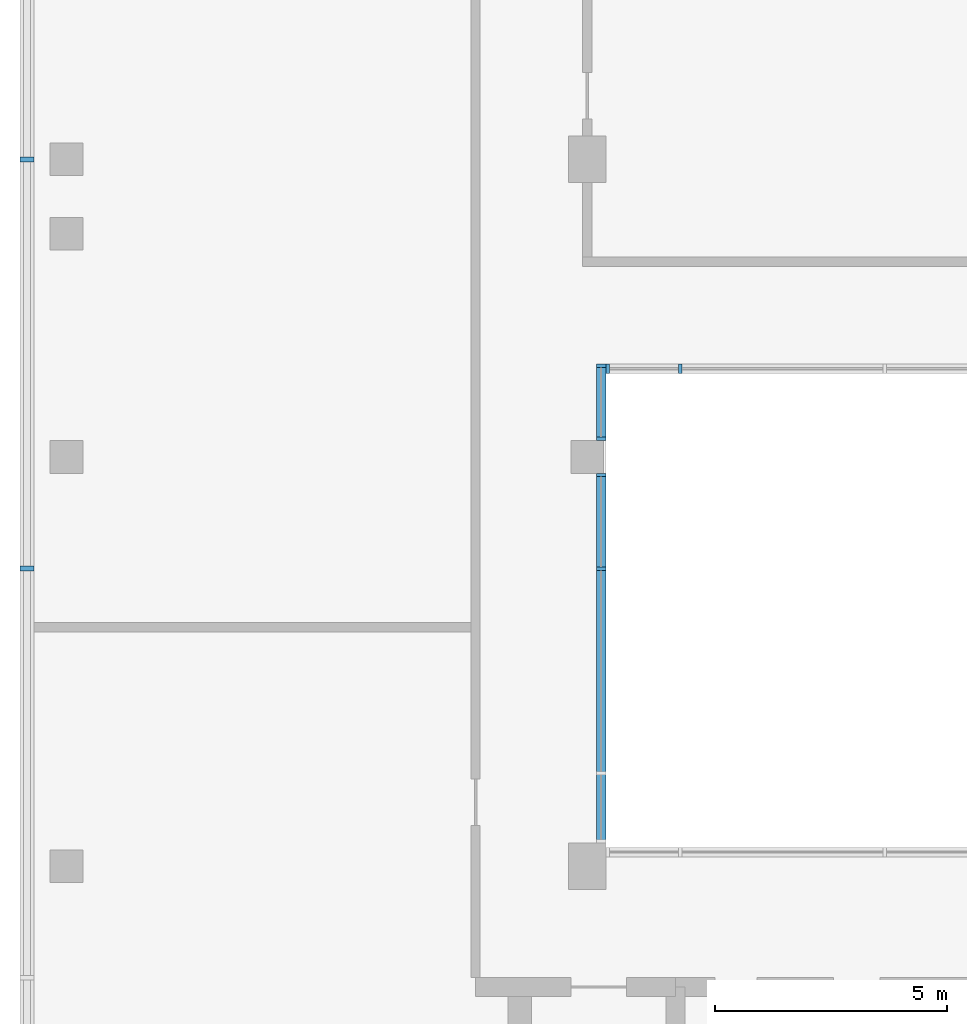
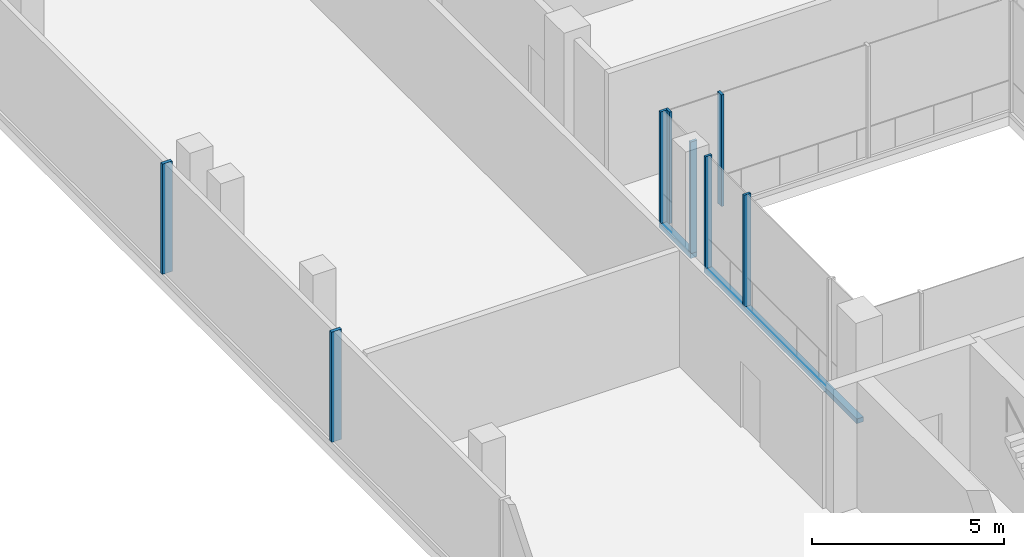
# One storey, part 3 of 11: 10 members, 4 elements without a shape of their own.
"""IFC4 building model written with IfcOpenShell, lengths in metres."""

import ifcopenshell
import ifcopenshell.guid

model = None  # the IFC model being written
_history = None  # IfcOwnerHistory: only IFC2X3 demands one
_inside = {}  # id of a spatial element -> (the spatial element, [elements in it])
_under = {}  # id of a project, library or spatial element -> (it, [spatial elements below it])
_declared = {}  # id of a project -> (the project, [libraries it declares])
_typed = {}  # id of a type object -> (the type object, [elements of that type])
_made_of = {}  # id of a material, layer set ... -> (it, [elements and type objects made of it])


def new_model(schema):
    """Start an empty IFC model of exactly this schema.

    Asked for "IFC4X3", IfcOpenShell would pick the latest addendum, in which some entities
    have other attributes; the version numbers below select the first issue.
    IFC2X3 requires an IfcOwnerHistory on every rooted entity: one is made here for all.
    """
    global model, _history
    if schema == "IFC4X3":
        model = ifcopenshell.file(schema_version=(4, 3, 0, 0))
    else:
        model = ifcopenshell.file(schema=schema)
    _inside.clear()
    _under.clear()
    _declared.clear()
    _typed.clear()
    _made_of.clear()
    _history = None
    if model.schema == "IFC2X3":
        org = make("IfcOrganization", Name="unknown")
        user = make(
            "IfcPersonAndOrganization",
            ThePerson=make("IfcPerson", FamilyName="unknown"),
            TheOrganization=org,
        )
        app = make(
            "IfcApplication",
            ApplicationDeveloper=org,
            Version="unknown",
            ApplicationFullName="unknown",
            ApplicationIdentifier="unknown",
        )
        _history = make(
            "IfcOwnerHistory",
            OwningUser=user,
            OwningApplication=app,
            ChangeAction="ADDED",
            CreationDate=0,
        )
    return model


def make(cls, **values):
    """One entity of the class cls with the attributes given. An attribute that is None is left unset."""
    return model.create_entity(
        cls, **{name: value for name, value in values.items() if value is not None}
    )


def rooted(cls, **values):
    """An entity with a GlobalId (a new one), such as an element, a storey or a relation."""
    return make(cls, GlobalId=ifcopenshell.guid.new(), OwnerHistory=_history, **values)


def si_unit(unit_type, name, prefix=None):
    """IfcSIUnit, for example si_unit("LENGTHUNIT", "METRE", prefix="MILLI")."""
    return make("IfcSIUnit", UnitType=unit_type, Prefix=prefix, Name=name)


def assignment(units):
    """IfcUnitAssignment: the units of a project."""
    return None if units is None else make("IfcUnitAssignment", Units=units)


def point(xyz):
    """IfcCartesianPoint."""
    return None if xyz is None else make("IfcCartesianPoint", Coordinates=xyz)


def direction(xyz):
    """IfcDirection."""
    return None if xyz is None else make("IfcDirection", DirectionRatios=xyz)


def frame(location, z_axis=None, x_axis=None):
    """IfcAxis2Placement3D, a coordinate frame: its origin and axes. An axis left out is left unset."""
    return make(
        "IfcAxis2Placement3D",
        Location=point(location),
        Axis=direction(z_axis),
        RefDirection=direction(x_axis),
    )


def frame_2d(location, x_axis=None):
    """IfcAxis2Placement2D, a coordinate frame in the plane: its origin and x axis."""
    return make(
        "IfcAxis2Placement2D", Location=point(location), RefDirection=direction(x_axis)
    )


def origin():
    """The frame at (0, 0, 0) with its axes left unset."""
    return frame((0.0, 0.0, 0.0))


def origin_2d():
    """The frame at (0, 0) in the plane with its x axis left unset."""
    return frame_2d((0.0, 0.0))


def place(relative_to, where):
    """IfcLocalPlacement: puts the frame where relative to a parent placement (None: the world)."""
    return make(
        "IfcLocalPlacement", PlacementRelTo=relative_to, RelativePlacement=where
    )


def context(
    kind, dimensions, precision=None, world=None, true_north=None, identifier=None
):
    """IfcGeometricRepresentationContext, for example the 3D "Model" context."""
    return make(
        "IfcGeometricRepresentationContext",
        ContextIdentifier=identifier,
        ContextType=kind,
        CoordinateSpaceDimension=dimensions,
        Precision=precision,
        WorldCoordinateSystem=world,
        TrueNorth=true_north,
    )


def subcontext(parent, identifier, kind, view, scale=None):
    """IfcGeometricRepresentationSubContext, for example "Body" below "Model"."""
    return make(
        "IfcGeometricRepresentationSubContext",
        ContextIdentifier=identifier,
        ContextType=kind,
        ParentContext=parent,
        TargetScale=scale,
        TargetView=view,
    )


def project(units=None, contexts=None):
    """IfcProject with its units and contexts."""
    return rooted(
        "IfcProject",
        Name="project",
        RepresentationContexts=contexts,
        UnitsInContext=assignment(units),
    )


def spatial(cls, under=None, at=None, **own):
    """A site, building, storey or space (cls), placed at a placement, below another one or the project."""
    s = rooted(cls, ObjectPlacement=at, **own)
    if under is not None:
        _under.setdefault(under.id(), (under, []))[1].append(s)
    return s


def profile(cls, at=None, kind="AREA", **sizes):
    """A parametric profile (cls). Its sizes go by their IFC names, for example OverallWidth=200.0."""
    return make(cls, ProfileType=kind, Position=at, **sizes)


def rectangle(**sizes):
    """IfcRectangleProfileDef."""
    return profile("IfcRectangleProfileDef", **sizes)


def extrude(swept, where, along, depth):
    """IfcExtrudedAreaSolid: the profile swept, set in the frame where, extruded along a direction by depth."""
    return make(
        "IfcExtrudedAreaSolid",
        SweptArea=swept,
        Position=where,
        ExtrudedDirection=direction(along),
        Depth=depth,
    )


def shape(context_of_items, identifier, shape_type, items):
    """IfcShapeRepresentation: the items that make up one representation, for example the "Body"."""
    return make(
        "IfcShapeRepresentation",
        ContextOfItems=context_of_items,
        RepresentationIdentifier=identifier,
        RepresentationType=shape_type,
        Items=items,
    )


def source(mapping_origin, context_of_items, identifier, shape_type, items):
    """IfcRepresentationMap: a shape defined once, which mapped items show again and again."""
    return make(
        "IfcRepresentationMap",
        MappingOrigin=mapping_origin,
        MappedRepresentation=shape(context_of_items, identifier, shape_type, items),
    )


def transform(
    local_origin,
    x_axis=None,
    y_axis=None,
    z_axis=None,
    scale=None,
    scale2=None,
    scale3=None,
    uniform=True,
):
    """IfcCartesianTransformationOperator3D, or its non-uniform kind. x_axis, y_axis, z_axis: its Axis1, 2, 3."""
    if uniform:
        return make(
            "IfcCartesianTransformationOperator3D",
            Axis1=direction(x_axis),
            Axis2=direction(y_axis),
            LocalOrigin=point(local_origin),
            Scale=scale,
            Axis3=direction(z_axis),
        )
    return make(
        "IfcCartesianTransformationOperator3DnonUniform",
        Axis1=direction(x_axis),
        Axis2=direction(y_axis),
        LocalOrigin=point(local_origin),
        Scale=scale,
        Axis3=direction(z_axis),
        Scale2=scale2,
        Scale3=scale3,
    )


def mapped(mapping_source, mapping_target):
    """IfcMappedItem: shows the shape of a source again, moved by a transform."""
    return make(
        "IfcMappedItem", MappingSource=mapping_source, MappingTarget=mapping_target
    )


def material(Name=None, Category=None):
    """IfcMaterial."""
    return make("IfcMaterial", Name=Name, Category=Category)


def material_profile(
    of_material, cross_section, Name=None, Category=None, Priority=None
):
    """IfcMaterialProfile: a cross section and its material."""
    return make(
        "IfcMaterialProfile",
        Name=Name,
        Material=of_material,
        Profile=cross_section,
        Priority=Priority,
        Category=Category,
    )


def profile_set(profiles, Name=None, composite=None):
    """IfcMaterialProfileSet."""
    return make(
        "IfcMaterialProfileSet",
        Name=Name,
        MaterialProfiles=profiles,
        CompositeProfile=composite,
    )


def made_of(thing, what):
    """Note that an element or type object is made of a material, layer set ...; save() writes the relation."""
    if what is not None:
        _made_of.setdefault(what.id(), (what, []))[1].append(thing)
    return thing


def type_object(cls, material=None, **own):
    """A type object (cls), such as IfcWallType, which elements share."""
    return made_of(rooted(cls, **own), material)


def element(
    cls,
    number,
    at=None,
    inside=None,
    cuts=None,
    type_object=None,
    material=None,
    context=None,
    identifier="Body",
    shape_type=None,
    held_by="IfcProductDefinitionShape",
    body=None,
    shapes=None,
    **own,
):
    """One element of the class cls, such as IfcWall. Its Tag is "e" and its number.

    at: its placement. inside: the storey or other place that contains it. cuts: it is an
    opening in that element (IfcRelVoidsElement). A single representation is given by context,
    identifier, shape_type and body (its items); several are given by shapes. held_by: the class
    of the entity that holds the representations. save() writes the other relations.
    """
    e = rooted(cls, Tag="e%d" % number, ObjectPlacement=at, **own)
    if body is not None:
        shapes = [shape(context, identifier, shape_type, body)]
    if shapes is not None:
        e.Representation = make(held_by, Representations=shapes)
    if inside is not None:
        _inside.setdefault(inside.id(), (inside, []))[1].append(e)
    if cuts is not None:
        rooted(
            "IfcRelVoidsElement", RelatingBuildingElement=cuts, RelatedOpeningElement=e
        )
    if type_object is not None:
        _typed.setdefault(type_object.id(), (type_object, []))[1].append(e)
    return made_of(e, material)


def aggregate(whole, parts):
    """IfcRelAggregates: a whole, such as a stair, and the parts it consists of."""
    return rooted("IfcRelAggregates", RelatingObject=whole, RelatedObjects=parts)


def save(model, path):
    """Write the relations noted so far, then the file.

    IfcRelAggregates (storeys below a building ...), IfcRelContainedInSpatialStructure (elements
    in a storey), IfcRelDefinesByType, IfcRelAssociatesMaterial and IfcRelDeclares: one each for
    every whole, place, type object, material and project.
    """
    for whole, parts in _under.values():
        aggregate(whole, parts)
    for where, things in _inside.values():
        rooted(
            "IfcRelContainedInSpatialStructure",
            RelatedElements=things,
            RelatingStructure=where,
        )
    for kind, things in _typed.values():
        rooted("IfcRelDefinesByType", RelatedObjects=things, RelatingType=kind)
    for what, things in _made_of.values():
        rooted("IfcRelAssociatesMaterial", RelatedObjects=things, RelatingMaterial=what)
    for by, libraries in _declared.values():
        rooted("IfcRelDeclares", RelatingContext=by, RelatedDefinitions=libraries)
    model.write(path)


model = new_model("IFC4")

# Units and contexts
model_context = context("Model", 3, precision=1e-05, world=origin(), true_north=direction((0.0, 1.0)))
body_context = subcontext(model_context, "Body", "Model", "MODEL_VIEW")
ifc_project = project(units=[si_unit("LENGTHUNIT", "METRE"), si_unit("AREAUNIT", "SQUARE_METRE"), si_unit("VOLUMEUNIT", "CUBIC_METRE"), si_unit("PLANEANGLEUNIT", "RADIAN"), si_unit("MASSUNIT", "GRAM", prefix="KILO")], contexts=[model_context])

# Site, building, storey
site_placement = place(None, origin())
site = spatial("IfcSite", under=ifc_project, at=site_placement, CompositionType="ELEMENT")
building_placement = place(site_placement, origin())
building = spatial("IfcBuilding", under=site, at=building_placement, Name="Kemantara Hotel Tower", CompositionType="ELEMENT")
storey_placement = place(building_placement, frame((0.0, 0.0, 326.199951171875)))
storey = spatial("IfcBuildingStorey", under=building, at=storey_placement, Name="L82", CompositionType="ELEMENT", Elevation=326.199951171875)

# Curtain wall, member
ifc_material_1 = material(Name="Clear low-iron laminated glass 36 mm", Category="glass")
curtain_wall_type_1 = type_object("IfcCurtainWallType", Name="ATRIUM GLAZING WALL", PredefinedType="USERDEFINED", material=ifc_material_1)
curtain_wall_1_placement = place(storey_placement, origin())
curtain_wall_1 = element("IfcCurtainWall", 1, at=curtain_wall_1_placement, inside=storey, type_object=curtain_wall_type_1, Name="CW5 L82 ATR-R3-1", ObjectType="ATRIUM GLAZING WALL", PredefinedType="USERDEFINED")
ifc_material_2 = material(Name="Aluminium 6063-T6 bronze anodised", Category="aluminium")
ifc_material_profile_1 = material_profile(ifc_material_2, rectangle(XDim=0.199951171875, YDim=0.14990234375, at=origin_2d()), Name="ATRIUM GLAZING WALL TRANSOM")
ifc_profile_set_1 = profile_set([ifc_material_profile_1], Name="Aluminium 6063-T6 bronze anodised")
member_type_1 = type_object("IfcMemberType", Name="ATRIUM GLAZING WALL TRANSOM", PredefinedType="USERDEFINED", material=ifc_profile_set_1)
member_1_placement = place(storey_placement, frame((12.5, 12.699951171875, 0.074951171875), z_axis=(0.0, 1.0, 0.0), x_axis=(-1.0, 0.0, 0.0)))
member_1 = element("IfcMember", 2, at=member_1_placement, type_object=member_type_1, Name="CW5 sill transom ATR-R3-1", ObjectType="TRANSOM", PredefinedType="USERDEFINED", context=body_context, shape_type="SweptSolid", body=[
    extrude(rectangle(XDim=0.199951171875, YDim=0.14990234375, at=origin_2d()), origin(), (0.0, 0.0, 1.0), 7.949951171875),
])

curtain_wall_2_placement = place(storey_placement, origin())
curtain_wall_2 = element("IfcCurtainWall", 3, at=curtain_wall_2_placement, inside=storey, type_object=curtain_wall_type_1, Name="CW5 L82 ATR-R3-2", ObjectType="ATRIUM GLAZING WALL", PredefinedType="USERDEFINED")
member_2_placement = place(storey_placement, frame((12.5, 21.35009765625, 0.074951171875), z_axis=(0.0, 1.0, 0.0), x_axis=(-1.0, 0.0, 0.0)))
member_2 = element("IfcMember", 4, at=member_2_placement, type_object=member_type_1, Name="CW5 sill transom ATR-R3-2", ObjectType="TRANSOM", PredefinedType="USERDEFINED", context=body_context, shape_type="SweptSolid", body=[
    extrude(rectangle(XDim=0.199951171875, YDim=0.14990234375, at=origin_2d()), origin(), (0.0, 0.0, 1.0), 1.64990234375),
])

# Curtain wall, members
curtain_wall_type_2 = type_object("IfcCurtainWallType", Name="CROWN LOUVRE SCREEN WALL", PredefinedType="USERDEFINED", material=ifc_material_2)
curtain_wall_3_placement = place(storey_placement, origin())
curtain_wall_3 = element("IfcCurtainWall", 5, at=curtain_wall_3_placement, inside=storey, type_object=curtain_wall_type_2, Name="CW7 L82 CRN-R05-1", ObjectType="CROWN LOUVRE SCREEN WALL", PredefinedType="USERDEFINED")
ifc_material_profile_2 = material_profile(ifc_material_2, rectangle(XDim=0.300048828125, YDim=0.10009765625, at=origin_2d()), Name="CROWN LOUVRE SCREEN WALL MULLION")
ifc_profile_set_2 = profile_set([ifc_material_profile_2], Name="Aluminium 6063-T6 bronze anodised")
member_type_2 = type_object("IfcMemberType", Name="CROWN LOUVRE SCREEN WALL MULLION", PredefinedType="MULLION", material=ifc_profile_set_2)
shared_shape_1 = source(origin(), body_context, "Body", "SweptSolid", [
    extrude(rectangle(XDim=0.300048828125, YDim=0.10009765625, at=origin_2d()), origin(), (0.0, 0.0, 1.0), 3.5),
])
member_3_placement = place(storey_placement, frame((0.14990234375, 27.39990234375, 0.199951171875), z_axis=(0.0, 0.0, 1.0), x_axis=(1.0, 0.0, 0.0)))
member_3 = element("IfcMember", 6, at=member_3_placement, type_object=member_type_2, Name="CW7 mullion CRN-R05-1.5", PredefinedType="MULLION", context=body_context, shape_type="MappedRepresentation", body=[
    mapped(shared_shape_1, transform((0.0, 0.0, 0.0))),
])
member_4_placement = place(storey_placement, frame((0.14990234375, 18.60009765625, 0.199951171875), z_axis=(0.0, 0.0, 1.0), x_axis=(1.0, 0.0, 0.0)))
member_4 = element("IfcMember", 7, at=member_4_placement, type_object=member_type_2, Name="CW7 mullion CRN-R05-1.6", PredefinedType="MULLION", context=body_context, shape_type="MappedRepresentation", body=[
    mapped(shared_shape_1, transform((0.0, 0.0, 0.0))),
])
aggregate(curtain_wall_3, [member_3, member_4])

curtain_wall_4_placement = place(storey_placement, origin())
curtain_wall_4 = element("IfcCurtainWall", 8, at=curtain_wall_4_placement, inside=storey, type_object=curtain_wall_type_1, Name="CW5 L82 ATR-R0-1", ObjectType="ATRIUM GLAZING WALL", PredefinedType="USERDEFINED")
ifc_material_profile_3 = material_profile(ifc_material_2, rectangle(XDim=0.199951171875, YDim=0.074951171875, at=origin_2d()), Name="ATRIUM GLAZING WALL MULLION")
ifc_profile_set_3 = profile_set([ifc_material_profile_3], Name="Aluminium 6063-T6 bronze anodised")
member_type_3 = type_object("IfcMemberType", Name="ATRIUM GLAZING WALL MULLION", PredefinedType="MULLION", material=ifc_profile_set_3)
shared_shape_2 = source(origin(), body_context, "Body", "SweptSolid", [
    extrude(rectangle(XDim=0.199951171875, YDim=0.074951171875, at=origin_2d()), origin(), (0.0, 0.0, 1.0), 3.5498046875),
])
member_5_placement = place(storey_placement, frame((12.637451171875, 22.89990234375, 0.150146484375), z_axis=(0.0, 0.0, 1.0), x_axis=(0.0, 1.0, 0.0)))
member_5 = element("IfcMember", 9, at=member_5_placement, type_object=member_type_3, Name="CW5 mullion ATR-R0-1.1", PredefinedType="MULLION", context=body_context, shape_type="MappedRepresentation", body=[
    mapped(shared_shape_2, transform((0.0, 0.0, 0.0))),
])
member_6_placement = place(storey_placement, frame((14.199951171875, 22.89990234375, 0.150146484375), z_axis=(0.0, 0.0, 1.0), x_axis=(0.0, 1.0, 0.0)))
member_6 = element("IfcMember", 10, at=member_6_placement, type_object=member_type_3, Name="CW5 mullion ATR-R0-1.2", PredefinedType="MULLION", context=body_context, shape_type="MappedRepresentation", body=[
    mapped(shared_shape_2, transform((0.0, 0.0, 0.0))),
])
aggregate(curtain_wall_4, [member_5, member_6])

# Member
member_7_placement = place(storey_placement, frame((12.5, 18.60009765625, 0.150146484375), z_axis=(0.0, 0.0, 1.0), x_axis=(-1.0, 0.0, 0.0)))
member_7 = element("IfcMember", 11, at=member_7_placement, type_object=member_type_3, Name="CW5 mullion ATR-R3-1.3", PredefinedType="MULLION", context=body_context, shape_type="MappedRepresentation", body=[
    mapped(shared_shape_2, transform((0.0, 0.0, 0.0))),
])

member_8_placement = place(storey_placement, frame((12.5, 20.612548828125, 0.150146484375), z_axis=(0.0, 0.0, 1.0), x_axis=(-1.0, 0.0, 0.0)))
member_8 = element("IfcMember", 12, at=member_8_placement, type_object=member_type_3, Name="CW5 mullion ATR-R3-1.4", PredefinedType="MULLION", context=body_context, shape_type="MappedRepresentation", body=[
    mapped(shared_shape_2, transform((0.0, 0.0, 0.0))),
])

aggregate(curtain_wall_1, [member_1, member_7, member_8])

member_9_placement = place(storey_placement, frame((12.5, 21.387451171875, 0.150146484375), z_axis=(0.0, 0.0, 1.0), x_axis=(-1.0, 0.0, 0.0)))
member_9 = element("IfcMember", 13, at=member_9_placement, type_object=member_type_3, Name="CW5 mullion ATR-R3-2.1", PredefinedType="MULLION", context=body_context, shape_type="MappedRepresentation", body=[
    mapped(shared_shape_2, transform((0.0, 0.0, 0.0))),
])

member_10_placement = place(storey_placement, frame((12.5, 22.96240234375, 0.150146484375), z_axis=(0.0, 0.0, 1.0), x_axis=(-1.0, 0.0, 0.0)))
member_10 = element("IfcMember", 14, at=member_10_placement, type_object=member_type_3, Name="CW5 mullion ATR-R3-2.2", PredefinedType="MULLION", context=body_context, shape_type="MappedRepresentation", body=[
    mapped(shared_shape_2, transform((0.0, 0.0, 0.0))),
])

aggregate(curtain_wall_2, [member_2, member_9, member_10])

save(model, "model.ifc")
